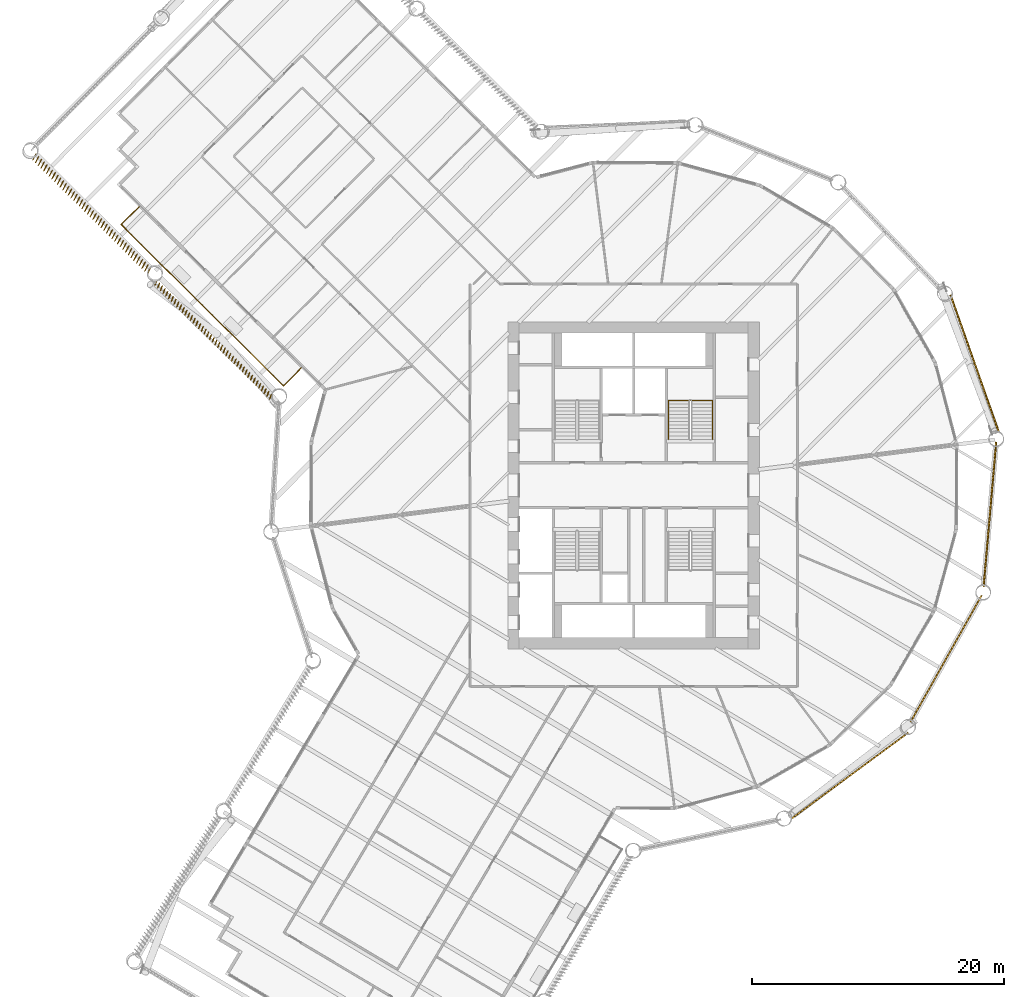
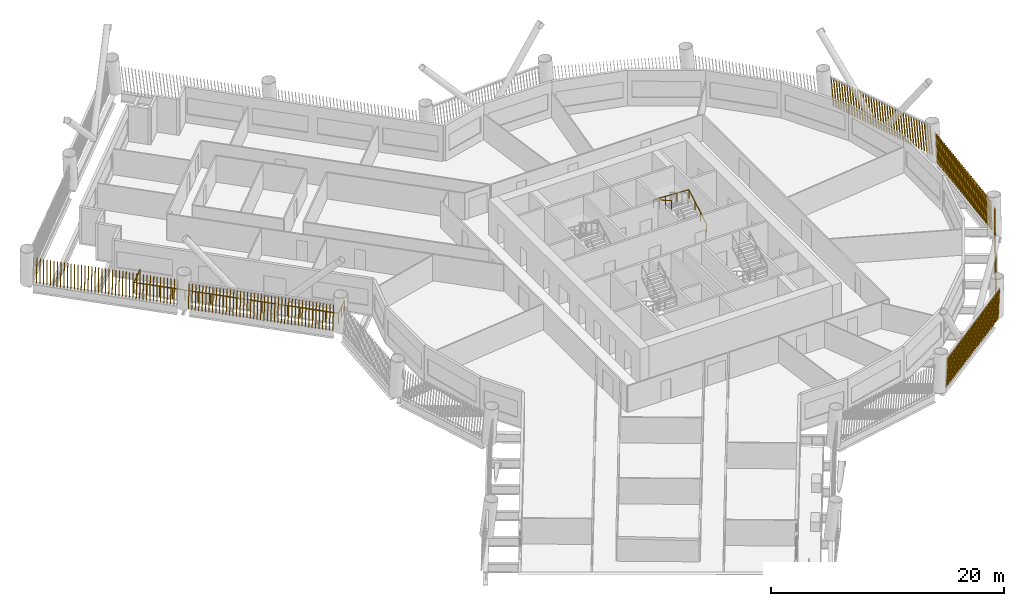
# One storey, part 20 of 22: 6 shading devices, 2 railings.
"""IFC4 building model written with IfcOpenShell, lengths in metres."""

import ifcopenshell
import ifcopenshell.guid

model = None  # the IFC model being written
_history = None  # IfcOwnerHistory: only IFC2X3 demands one
_inside = {}  # id of a spatial element -> (the spatial element, [elements in it])
_under = {}  # id of a project, library or spatial element -> (it, [spatial elements below it])
_declared = {}  # id of a project -> (the project, [libraries it declares])
_typed = {}  # id of a type object -> (the type object, [elements of that type])
_made_of = {}  # id of a material, layer set ... -> (it, [elements and type objects made of it])


def new_model(schema):
    """Start an empty IFC model of exactly this schema.

    Asked for "IFC4X3", IfcOpenShell would pick the latest addendum, in which some entities
    have other attributes; the version numbers below select the first issue.
    IFC2X3 requires an IfcOwnerHistory on every rooted entity: one is made here for all.
    """
    global model, _history
    if schema == "IFC4X3":
        model = ifcopenshell.file(schema_version=(4, 3, 0, 0))
    else:
        model = ifcopenshell.file(schema=schema)
    _inside.clear()
    _under.clear()
    _declared.clear()
    _typed.clear()
    _made_of.clear()
    _history = None
    if model.schema == "IFC2X3":
        org = make("IfcOrganization", Name="unknown")
        user = make(
            "IfcPersonAndOrganization",
            ThePerson=make("IfcPerson", FamilyName="unknown"),
            TheOrganization=org,
        )
        app = make(
            "IfcApplication",
            ApplicationDeveloper=org,
            Version="unknown",
            ApplicationFullName="unknown",
            ApplicationIdentifier="unknown",
        )
        _history = make(
            "IfcOwnerHistory",
            OwningUser=user,
            OwningApplication=app,
            ChangeAction="ADDED",
            CreationDate=0,
        )
    return model


def make(cls, **values):
    """One entity of the class cls with the attributes given. An attribute that is None is left unset."""
    return model.create_entity(
        cls, **{name: value for name, value in values.items() if value is not None}
    )


def rooted(cls, **values):
    """An entity with a GlobalId (a new one), such as an element, a storey or a relation."""
    return make(cls, GlobalId=ifcopenshell.guid.new(), OwnerHistory=_history, **values)


def si_unit(unit_type, name, prefix=None):
    """IfcSIUnit, for example si_unit("LENGTHUNIT", "METRE", prefix="MILLI")."""
    return make("IfcSIUnit", UnitType=unit_type, Prefix=prefix, Name=name)


def assignment(units):
    """IfcUnitAssignment: the units of a project."""
    return None if units is None else make("IfcUnitAssignment", Units=units)


def point(xyz):
    """IfcCartesianPoint."""
    return None if xyz is None else make("IfcCartesianPoint", Coordinates=xyz)


def direction(xyz):
    """IfcDirection."""
    return None if xyz is None else make("IfcDirection", DirectionRatios=xyz)


def frame(location, z_axis=None, x_axis=None):
    """IfcAxis2Placement3D, a coordinate frame: its origin and axes. An axis left out is left unset."""
    return make(
        "IfcAxis2Placement3D",
        Location=point(location),
        Axis=direction(z_axis),
        RefDirection=direction(x_axis),
    )


def frame_2d(location, x_axis=None):
    """IfcAxis2Placement2D, a coordinate frame in the plane: its origin and x axis."""
    return make(
        "IfcAxis2Placement2D", Location=point(location), RefDirection=direction(x_axis)
    )


def origin():
    """The frame at (0, 0, 0) with its axes left unset."""
    return frame((0.0, 0.0, 0.0))


def origin_2d():
    """The frame at (0, 0) in the plane with its x axis left unset."""
    return frame_2d((0.0, 0.0))


def place(relative_to, where):
    """IfcLocalPlacement: puts the frame where relative to a parent placement (None: the world)."""
    return make(
        "IfcLocalPlacement", PlacementRelTo=relative_to, RelativePlacement=where
    )


def context(
    kind, dimensions, precision=None, world=None, true_north=None, identifier=None
):
    """IfcGeometricRepresentationContext, for example the 3D "Model" context."""
    return make(
        "IfcGeometricRepresentationContext",
        ContextIdentifier=identifier,
        ContextType=kind,
        CoordinateSpaceDimension=dimensions,
        Precision=precision,
        WorldCoordinateSystem=world,
        TrueNorth=true_north,
    )


def subcontext(parent, identifier, kind, view, scale=None):
    """IfcGeometricRepresentationSubContext, for example "Body" below "Model"."""
    return make(
        "IfcGeometricRepresentationSubContext",
        ContextIdentifier=identifier,
        ContextType=kind,
        ParentContext=parent,
        TargetScale=scale,
        TargetView=view,
    )


def project(units=None, contexts=None):
    """IfcProject with its units and contexts."""
    return rooted(
        "IfcProject",
        Name="project",
        RepresentationContexts=contexts,
        UnitsInContext=assignment(units),
    )


def spatial(cls, under=None, at=None, **own):
    """A site, building, storey or space (cls), placed at a placement, below another one or the project."""
    s = rooted(cls, ObjectPlacement=at, **own)
    if under is not None:
        _under.setdefault(under.id(), (under, []))[1].append(s)
    return s


def profile(cls, at=None, kind="AREA", **sizes):
    """A parametric profile (cls). Its sizes go by their IFC names, for example OverallWidth=200.0."""
    return make(cls, ProfileType=kind, Position=at, **sizes)


def rectangle(**sizes):
    """IfcRectangleProfileDef."""
    return profile("IfcRectangleProfileDef", **sizes)


def circle(**sizes):
    """IfcCircleProfileDef."""
    return profile("IfcCircleProfileDef", **sizes)


def composite_profile(profiles, kind="AREA"):
    """IfcCompositeProfileDef: several profiles as one."""
    return make("IfcCompositeProfileDef", ProfileType=kind, Profiles=profiles)


def extrude(swept, where, along, depth):
    """IfcExtrudedAreaSolid: the profile swept, set in the frame where, extruded along a direction by depth."""
    return make(
        "IfcExtrudedAreaSolid",
        SweptArea=swept,
        Position=where,
        ExtrudedDirection=direction(along),
        Depth=depth,
    )


def shape(context_of_items, identifier, shape_type, items):
    """IfcShapeRepresentation: the items that make up one representation, for example the "Body"."""
    return make(
        "IfcShapeRepresentation",
        ContextOfItems=context_of_items,
        RepresentationIdentifier=identifier,
        RepresentationType=shape_type,
        Items=items,
    )


def material(Name=None, Category=None):
    """IfcMaterial."""
    return make("IfcMaterial", Name=Name, Category=Category)


def made_of(thing, what):
    """Note that an element or type object is made of a material, layer set ...; save() writes the relation."""
    if what is not None:
        _made_of.setdefault(what.id(), (what, []))[1].append(thing)
    return thing


def type_object(cls, material=None, **own):
    """A type object (cls), such as IfcWallType, which elements share."""
    return made_of(rooted(cls, **own), material)


def element(
    cls,
    number,
    at=None,
    inside=None,
    cuts=None,
    type_object=None,
    material=None,
    context=None,
    identifier="Body",
    shape_type=None,
    held_by="IfcProductDefinitionShape",
    body=None,
    shapes=None,
    **own,
):
    """One element of the class cls, such as IfcWall. Its Tag is "e" and its number.

    at: its placement. inside: the storey or other place that contains it. cuts: it is an
    opening in that element (IfcRelVoidsElement). A single representation is given by context,
    identifier, shape_type and body (its items); several are given by shapes. held_by: the class
    of the entity that holds the representations. save() writes the other relations.
    """
    e = rooted(cls, Tag="e%d" % number, ObjectPlacement=at, **own)
    if body is not None:
        shapes = [shape(context, identifier, shape_type, body)]
    if shapes is not None:
        e.Representation = make(held_by, Representations=shapes)
    if inside is not None:
        _inside.setdefault(inside.id(), (inside, []))[1].append(e)
    if cuts is not None:
        rooted(
            "IfcRelVoidsElement", RelatingBuildingElement=cuts, RelatedOpeningElement=e
        )
    if type_object is not None:
        _typed.setdefault(type_object.id(), (type_object, []))[1].append(e)
    return made_of(e, material)


def aggregate(whole, parts):
    """IfcRelAggregates: a whole, such as a stair, and the parts it consists of."""
    return rooted("IfcRelAggregates", RelatingObject=whole, RelatedObjects=parts)


def save(model, path):
    """Write the relations noted so far, then the file.

    IfcRelAggregates (storeys below a building ...), IfcRelContainedInSpatialStructure (elements
    in a storey), IfcRelDefinesByType, IfcRelAssociatesMaterial and IfcRelDeclares: one each for
    every whole, place, type object, material and project.
    """
    for whole, parts in _under.values():
        aggregate(whole, parts)
    for where, things in _inside.values():
        rooted(
            "IfcRelContainedInSpatialStructure",
            RelatedElements=things,
            RelatingStructure=where,
        )
    for kind, things in _typed.values():
        rooted("IfcRelDefinesByType", RelatedObjects=things, RelatingType=kind)
    for what, things in _made_of.values():
        rooted("IfcRelAssociatesMaterial", RelatedObjects=things, RelatingMaterial=what)
    for by, libraries in _declared.values():
        rooted("IfcRelDeclares", RelatingContext=by, RelatedDefinitions=libraries)
    model.write(path)


model = new_model("IFC4")

# Units and contexts
model_context = context("Model", 3, precision=1e-05, world=origin(), true_north=direction((0.0, 1.0)))
body_context = subcontext(model_context, "Body", "Model", "MODEL_VIEW")
ifc_project = project(units=[si_unit("LENGTHUNIT", "METRE"), si_unit("AREAUNIT", "SQUARE_METRE"), si_unit("VOLUMEUNIT", "CUBIC_METRE"), si_unit("PLANEANGLEUNIT", "RADIAN"), si_unit("MASSUNIT", "GRAM", prefix="KILO")], contexts=[model_context])

# Site, building, storey
site_placement = place(None, origin())
site = spatial("IfcSite", under=ifc_project, at=site_placement, CompositionType="ELEMENT")
building_placement = place(site_placement, origin())
building = spatial("IfcBuilding", under=site, at=building_placement, Name="Tarsis Ring Headquarters", CompositionType="ELEMENT")
storey_placement = place(building_placement, frame((0.0, 0.0, 79.0)))
storey = spatial("IfcBuildingStorey", under=building, at=storey_placement, Name="L17", CompositionType="ELEMENT", Elevation=79.0)

# Railings
ifc_material_1 = material(Name="Stainless steel guard", Category="steel")
railing_type_1 = type_object("IfcRailingType", Name="Balcony balustrade with mesh infill 1100", PredefinedType="BALUSTRADE", material=ifc_material_1)
railing_1_placement = place(storey_placement, frame((-39.322021484375, 22.13671875, 0.0)))
element("IfcRailing", 1, at=railing_1_placement, inside=storey, type_object=railing_type_1, Name="Balcony balustrade L17-01", PredefinedType="BALUSTRADE", context=body_context, shape_type="SweptSolid", body=[
    extrude(circle(Radius=0.030029296875, at=origin_2d()), frame((0.0, 0.0, 1.070068359375), z_axis=(-0.704599875956, -0.70960483003, 0.0), x_axis=(0.70960483003, -0.704599875956, 0.0)), (0.0, 0.0, 1.0), 2.0),
    extrude(circle(Radius=0.030029296875, at=origin_2d()), frame((-1.4091796875, -1.419189453125, 1.070068359375), z_axis=(0.709574517389, -0.704630402603, 0.0), x_axis=(0.704630402603, 0.709574517389, 0.0)), (0.0, 0.0, 1.0), 18.171875),
    extrude(circle(Radius=0.030029296875, at=origin_2d()), frame((11.485107421875, -14.2236328125, 1.070068359375), z_axis=(0.704660913133, 0.709544218145, 0.0), x_axis=(-0.709544218145, 0.704660913133, 0.0)), (0.0, 0.0, 1.0), 1.999755859375),
    extrude(circle(Radius=0.02490234375, at=origin_2d()), origin(), (0.0, 0.0, 1.0), 1.0400390625),
    extrude(circle(Radius=0.02490234375, at=origin_2d()), frame((-0.70458984375, -0.70947265625, 0.0)), (0.0, 0.0, 1.0), 1.0400390625),
    extrude(circle(Radius=0.02490234375, at=origin_2d()), frame((-1.4091796875, -1.419189453125, 0.0)), (0.0, 0.0, 1.0), 1.0400390625),
    extrude(circle(Radius=0.02490234375, at=origin_2d()), frame((-0.603271484375, -2.219482421875, 0.0)), (0.0, 0.0, 1.0), 1.0400390625),
    extrude(circle(Radius=0.02490234375, at=origin_2d()), frame((0.20263671875, -3.019775390625, 0.0)), (0.0, 0.0, 1.0), 1.0400390625),
    extrude(circle(Radius=0.02490234375, at=origin_2d()), frame((1.008544921875, -3.820068359375, 0.0)), (0.0, 0.0, 1.0), 1.0400390625),
    extrude(circle(Radius=0.02490234375, at=origin_2d()), frame((1.814453125, -4.620361328125, 0.0)), (0.0, 0.0, 1.0), 1.0400390625),
    extrude(circle(Radius=0.02490234375, at=origin_2d()), frame((2.620361328125, -5.420654296875, 0.0)), (0.0, 0.0, 1.0), 1.0400390625),
    extrude(circle(Radius=0.02490234375, at=origin_2d()), frame((3.42626953125, -6.220947265625, 0.0)), (0.0, 0.0, 1.0), 1.0400390625),
    extrude(circle(Radius=0.02490234375, at=origin_2d()), frame((4.232177734375, -7.021240234375, 0.0)), (0.0, 0.0, 1.0), 1.0400390625),
    extrude(circle(Radius=0.02490234375, at=origin_2d()), frame((5.0380859375, -7.8212890625, 0.0)), (0.0, 0.0, 1.0), 1.0400390625),
    extrude(circle(Radius=0.02490234375, at=origin_2d()), frame((5.84375, -8.62158203125, 0.0)), (0.0, 0.0, 1.0), 1.0400390625),
    extrude(circle(Radius=0.02490234375, at=origin_2d()), frame((6.649658203125, -9.421875, 0.0)), (0.0, 0.0, 1.0), 1.0400390625),
    extrude(circle(Radius=0.02490234375, at=origin_2d()), frame((7.45556640625, -10.22216796875, 0.0)), (0.0, 0.0, 1.0), 1.0400390625),
    extrude(circle(Radius=0.02490234375, at=origin_2d()), frame((8.261474609375, -11.0224609375, 0.0)), (0.0, 0.0, 1.0), 1.0400390625),
    extrude(circle(Radius=0.02490234375, at=origin_2d()), frame((9.0673828125, -11.82275390625, 0.0)), (0.0, 0.0, 1.0), 1.0400390625),
    extrude(circle(Radius=0.02490234375, at=origin_2d()), frame((9.873291015625, -12.623046875, 0.0)), (0.0, 0.0, 1.0), 1.0400390625),
    extrude(circle(Radius=0.02490234375, at=origin_2d()), frame((10.67919921875, -13.42333984375, 0.0)), (0.0, 0.0, 1.0), 1.0400390625),
    extrude(circle(Radius=0.02490234375, at=origin_2d()), frame((11.485107421875, -14.2236328125, 0.0)), (0.0, 0.0, 1.0), 1.0400390625),
    extrude(circle(Radius=0.02490234375, at=origin_2d()), frame((12.189697265625, -13.51416015625, 0.0)), (0.0, 0.0, 1.0), 1.0400390625),
    extrude(circle(Radius=0.02490234375, at=origin_2d()), frame((12.894287109375, -12.8046875, 0.0)), (0.0, 0.0, 1.0), 1.0400390625),
])
ifc_material_2 = material(Name="Steel S355", Category="steel")
railing_type_2 = type_object("IfcRailingType", Name="Core stair handrail 900", PredefinedType="HANDRAIL", material=ifc_material_2)
railing_2_placement = place(storey_placement, frame((6.25, 3.659912109375, 0.16259765625)))
element("IfcRailing", 2, at=railing_2_placement, inside=storey, type_object=railing_type_2, Name="L17 ST2 stair handrail 1", PredefinedType="HANDRAIL", context=body_context, shape_type="SweptSolid", body=[
    extrude(circle(Radius=0.02392578125, at=origin_2d()), frame((0.0, 0.0, 0.8759765625), z_axis=(0.0, 0.864920483161, 0.501908913857), x_axis=(-1.0, 0.0, 0.0)), (0.0, 0.0, 1.0), 3.56103515625),
    extrude(circle(Radius=0.02392578125, at=origin_2d()), frame((0.0, 3.080078125, 2.6630859375), z_axis=(-0.998922641604, 0.0, 0.046406422943), x_axis=(0.0, -1.0, 0.0)), (0.0, 0.0, 1.0), 3.503662109375),
    extrude(circle(Radius=0.02392578125, at=origin_2d()), frame((-3.5, 3.080078125, 2.82568359375), z_axis=(0.0, -0.864920483161, 0.501908913857), x_axis=(1.0, 0.0, 0.0)), (0.0, 0.0, 1.0), 3.56103515625),
    extrude(circle(Radius=0.02099609375, at=origin_2d()), origin(), (0.0, 0.0, 1.0), 0.851806640625),
    extrude(circle(Radius=0.02099609375, at=origin_2d()), frame((0.0, 1.026611328125, 0.595703125)), (0.0, 0.0, 1.0), 0.851806640625),
    extrude(circle(Radius=0.02099609375, at=origin_2d()), frame((0.0, 2.053466796875, 1.191650390625)), (0.0, 0.0, 1.0), 0.851806640625),
    extrude(circle(Radius=0.02099609375, at=origin_2d()), frame((0.0, 3.080078125, 1.787353515625)), (0.0, 0.0, 1.0), 0.851806640625),
    extrude(circle(Radius=0.02099609375, at=origin_2d()), frame((-1.166748046875, 3.080078125, 1.841552734375)), (0.0, 0.0, 1.0), 0.851806640625),
    extrude(circle(Radius=0.02099609375, at=origin_2d()), frame((-2.333251953125, 3.080078125, 1.895751953125)), (0.0, 0.0, 1.0), 0.851806640625),
    extrude(circle(Radius=0.02099609375, at=origin_2d()), frame((-3.5, 3.080078125, 1.949951171875)), (0.0, 0.0, 1.0), 0.851806640625),
    extrude(circle(Radius=0.02099609375, at=origin_2d()), frame((-3.5, 2.053466796875, 2.545654296875)), (0.0, 0.0, 1.0), 0.851806640625),
    extrude(circle(Radius=0.02099609375, at=origin_2d()), frame((-3.5, 1.026611328125, 3.1416015625)), (0.0, 0.0, 1.0), 0.851806640625),
    extrude(circle(Radius=0.02099609375, at=origin_2d()), frame((-3.5, 0.0, 3.7373046875)), (0.0, 0.0, 1.0), 0.851806640625),
])

# Shading devices
ifc_material_3 = material(Name="Terracotta baguette", Category="masonry")
shading_device_type = type_object("IfcShadingDeviceType", Name="Terracotta baguette screen", PredefinedType="USERDEFINED", material=ifc_material_3)
shading_device_1_placement = place(storey_placement, frame((12.52001953125, -26.507080078125, 0.0), z_axis=(0.0, 0.0, 1.0), x_axis=(0.805469343462, 0.592620727075, 0.0)))
element("IfcShadingDevice", 3, at=shading_device_1_placement, inside=storey, type_object=shading_device_type, Name="Baguette screen L17-08", ObjectType="Terracotta baguette screen", PredefinedType="USERDEFINED", context=body_context, shape_type="SweptSolid", body=[
    extrude(composite_profile([rectangle(XDim=0.06005859375, YDim=0.1201171875, at=frame_2d((0.030029296875, 0.0))), rectangle(XDim=0.06005859375, YDim=0.1201171875, at=frame_2d((0.33251953125, 0.0))), rectangle(XDim=0.06005859375, YDim=0.1201171875, at=frame_2d((0.634765625, 0.0))), rectangle(XDim=0.06005859375, YDim=0.1201171875, at=frame_2d((0.937255859375, 0.0))), rectangle(XDim=0.06005859375, YDim=0.1201171875, at=frame_2d((1.239501953125, 0.0))), rectangle(XDim=0.06005859375, YDim=0.1201171875, at=frame_2d((1.5419921875, 0.0))), rectangle(XDim=0.06005859375, YDim=0.1201171875, at=frame_2d((1.844482421875, 0.0))), rectangle(XDim=0.06005859375, YDim=0.1201171875, at=frame_2d((2.146728515625, 0.0))), rectangle(XDim=0.06005859375, YDim=0.1201171875, at=frame_2d((2.44921875, 0.0))), rectangle(XDim=0.06005859375, YDim=0.1201171875, at=frame_2d((2.751708984375, 0.0))), rectangle(XDim=0.06005859375, YDim=0.1201171875, at=frame_2d((3.053955078125, 0.0))), rectangle(XDim=0.06005859375, YDim=0.1201171875, at=frame_2d((3.3564453125, 0.0))), rectangle(XDim=0.06005859375, YDim=0.1201171875, at=frame_2d((3.65869140625, 0.0))), rectangle(XDim=0.06005859375, YDim=0.1201171875, at=frame_2d((3.961181640625, 0.0))), rectangle(XDim=0.06005859375, YDim=0.1201171875, at=frame_2d((4.263671875, 0.0))), rectangle(XDim=0.06005859375, YDim=0.1201171875, at=frame_2d((4.56591796875, 0.0))), rectangle(XDim=0.06005859375, YDim=0.1201171875, at=frame_2d((4.868408203125, 0.0))), rectangle(XDim=0.06005859375, YDim=0.1201171875, at=frame_2d((5.1708984375, 0.0))), rectangle(XDim=0.06005859375, YDim=0.1201171875, at=frame_2d((5.47314453125, 0.0))), rectangle(XDim=0.06005859375, YDim=0.1201171875, at=frame_2d((5.775634765625, 0.0))), rectangle(XDim=0.06005859375, YDim=0.1201171875, at=frame_2d((6.077880859375, 0.0))), rectangle(XDim=0.06005859375, YDim=0.1201171875, at=frame_2d((6.38037109375, 0.0))), rectangle(XDim=0.06005859375, YDim=0.1201171875, at=frame_2d((6.682861328125, 0.0))), rectangle(XDim=0.06005859375, YDim=0.1201171875, at=frame_2d((6.985107421875, 0.0))), rectangle(XDim=0.06005859375, YDim=0.1201171875, at=frame_2d((7.28759765625, 0.0))), rectangle(XDim=0.06005859375, YDim=0.1201171875, at=frame_2d((7.590087890625, 0.0))), rectangle(XDim=0.06005859375, YDim=0.1201171875, at=frame_2d((7.892333984375, 0.0))), rectangle(XDim=0.06005859375, YDim=0.1201171875, at=frame_2d((8.19482421875, 0.0))), rectangle(XDim=0.06005859375, YDim=0.1201171875, at=frame_2d((8.4970703125, 0.0))), rectangle(XDim=0.06005859375, YDim=0.1201171875, at=frame_2d((8.799560546875, 0.0))), rectangle(XDim=0.06005859375, YDim=0.1201171875, at=frame_2d((9.10205078125, 0.0))), rectangle(XDim=0.06005859375, YDim=0.1201171875, at=frame_2d((9.404296875, 0.0))), rectangle(XDim=0.06005859375, YDim=0.1201171875, at=frame_2d((9.706787109375, 0.0))), rectangle(XDim=0.06005859375, YDim=0.1201171875, at=frame_2d((10.00927734375, 0.0))), rectangle(XDim=0.06005859375, YDim=0.1201171875, at=frame_2d((10.3115234375, 0.0))), rectangle(XDim=0.06005859375, YDim=0.1201171875, at=frame_2d((10.614013671875, 0.0))), rectangle(XDim=0.06005859375, YDim=0.1201171875, at=frame_2d((10.916259765625, 0.0))), rectangle(XDim=0.06005859375, YDim=0.1201171875, at=frame_2d((11.21875, 0.0)))]), origin(), (0.101509325663, 0.000531992637, 0.994834445417), 2.968017578125),
])
shading_device_2_placement = place(storey_placement, frame((22.005859375, -18.806396484375, 0.0), z_axis=(0.0, 0.0, 1.0), x_axis=(0.489593054802, 0.871947911015, 0.0)))
element("IfcShadingDevice", 4, at=shading_device_2_placement, inside=storey, type_object=shading_device_type, Name="Baguette screen L17-09", ObjectType="Terracotta baguette screen", PredefinedType="USERDEFINED", context=body_context, shape_type="SweptSolid", body=[
    extrude(composite_profile([rectangle(XDim=0.06005859375, YDim=0.1201171875, at=frame_2d((0.030029296875, 0.0))), rectangle(XDim=0.06005859375, YDim=0.1201171875, at=frame_2d((0.33251953125, 0.0))), rectangle(XDim=0.06005859375, YDim=0.1201171875, at=frame_2d((0.634765625, 0.0))), rectangle(XDim=0.06005859375, YDim=0.1201171875, at=frame_2d((0.937255859375, 0.0))), rectangle(XDim=0.06005859375, YDim=0.1201171875, at=frame_2d((1.239501953125, 0.0))), rectangle(XDim=0.06005859375, YDim=0.1201171875, at=frame_2d((1.5419921875, 0.0))), rectangle(XDim=0.06005859375, YDim=0.1201171875, at=frame_2d((1.844482421875, 0.0))), rectangle(XDim=0.06005859375, YDim=0.1201171875, at=frame_2d((2.146728515625, 0.0))), rectangle(XDim=0.06005859375, YDim=0.1201171875, at=frame_2d((2.44921875, 0.0))), rectangle(XDim=0.06005859375, YDim=0.1201171875, at=frame_2d((2.751708984375, 0.0))), rectangle(XDim=0.06005859375, YDim=0.1201171875, at=frame_2d((3.053955078125, 0.0))), rectangle(XDim=0.06005859375, YDim=0.1201171875, at=frame_2d((3.3564453125, 0.0))), rectangle(XDim=0.06005859375, YDim=0.1201171875, at=frame_2d((3.65869140625, 0.0))), rectangle(XDim=0.06005859375, YDim=0.1201171875, at=frame_2d((3.961181640625, 0.0))), rectangle(XDim=0.06005859375, YDim=0.1201171875, at=frame_2d((4.263671875, 0.0))), rectangle(XDim=0.06005859375, YDim=0.1201171875, at=frame_2d((4.56591796875, 0.0))), rectangle(XDim=0.06005859375, YDim=0.1201171875, at=frame_2d((4.868408203125, 0.0))), rectangle(XDim=0.06005859375, YDim=0.1201171875, at=frame_2d((5.1708984375, 0.0))), rectangle(XDim=0.06005859375, YDim=0.1201171875, at=frame_2d((5.47314453125, 0.0))), rectangle(XDim=0.06005859375, YDim=0.1201171875, at=frame_2d((5.775634765625, 0.0))), rectangle(XDim=0.06005859375, YDim=0.1201171875, at=frame_2d((6.077880859375, 0.0))), rectangle(XDim=0.06005859375, YDim=0.1201171875, at=frame_2d((6.38037109375, 0.0))), rectangle(XDim=0.06005859375, YDim=0.1201171875, at=frame_2d((6.682861328125, 0.0))), rectangle(XDim=0.06005859375, YDim=0.1201171875, at=frame_2d((6.985107421875, 0.0))), rectangle(XDim=0.06005859375, YDim=0.1201171875, at=frame_2d((7.28759765625, 0.0))), rectangle(XDim=0.06005859375, YDim=0.1201171875, at=frame_2d((7.590087890625, 0.0))), rectangle(XDim=0.06005859375, YDim=0.1201171875, at=frame_2d((7.892333984375, 0.0))), rectangle(XDim=0.06005859375, YDim=0.1201171875, at=frame_2d((8.19482421875, 0.0))), rectangle(XDim=0.06005859375, YDim=0.1201171875, at=frame_2d((8.4970703125, 0.0))), rectangle(XDim=0.06005859375, YDim=0.1201171875, at=frame_2d((8.799560546875, 0.0))), rectangle(XDim=0.06005859375, YDim=0.1201171875, at=frame_2d((9.10205078125, 0.0))), rectangle(XDim=0.06005859375, YDim=0.1201171875, at=frame_2d((9.404296875, 0.0))), rectangle(XDim=0.06005859375, YDim=0.1201171875, at=frame_2d((9.706787109375, 0.0))), rectangle(XDim=0.06005859375, YDim=0.1201171875, at=frame_2d((10.00927734375, 0.0))), rectangle(XDim=0.06005859375, YDim=0.1201171875, at=frame_2d((10.3115234375, 0.0))), rectangle(XDim=0.06005859375, YDim=0.1201171875, at=frame_2d((10.614013671875, 0.0))), rectangle(XDim=0.06005859375, YDim=0.1201171875, at=frame_2d((10.916259765625, 0.0))), rectangle(XDim=0.06005859375, YDim=0.1201171875, at=frame_2d((11.21875, 0.0)))]), origin(), (0.100200109882, 0.000525124512, 0.994967166405), 2.967529296875),
])
shading_device_3_placement = place(storey_placement, frame((27.80126953125, -8.06396484375, 0.0), z_axis=(0.0, 0.0, 1.0), x_axis=(0.086663049376, 0.996245252306, 0.0)))
element("IfcShadingDevice", 5, at=shading_device_3_placement, inside=storey, type_object=shading_device_type, Name="Baguette screen L17-10", ObjectType="Terracotta baguette screen", PredefinedType="USERDEFINED", context=body_context, shape_type="SweptSolid", body=[
    extrude(composite_profile([rectangle(XDim=0.06005859375, YDim=0.1201171875, at=frame_2d((0.030029296875, 0.0))), rectangle(XDim=0.06005859375, YDim=0.1201171875, at=frame_2d((0.33251953125, 0.0))), rectangle(XDim=0.06005859375, YDim=0.1201171875, at=frame_2d((0.634765625, 0.0))), rectangle(XDim=0.06005859375, YDim=0.1201171875, at=frame_2d((0.937255859375, 0.0))), rectangle(XDim=0.06005859375, YDim=0.1201171875, at=frame_2d((1.239501953125, 0.0))), rectangle(XDim=0.06005859375, YDim=0.1201171875, at=frame_2d((1.5419921875, 0.0))), rectangle(XDim=0.06005859375, YDim=0.1201171875, at=frame_2d((1.844482421875, 0.0))), rectangle(XDim=0.06005859375, YDim=0.1201171875, at=frame_2d((2.146728515625, 0.0))), rectangle(XDim=0.06005859375, YDim=0.1201171875, at=frame_2d((2.44921875, 0.0))), rectangle(XDim=0.06005859375, YDim=0.1201171875, at=frame_2d((2.751708984375, 0.0))), rectangle(XDim=0.06005859375, YDim=0.1201171875, at=frame_2d((3.053955078125, 0.0))), rectangle(XDim=0.06005859375, YDim=0.1201171875, at=frame_2d((3.3564453125, 0.0))), rectangle(XDim=0.06005859375, YDim=0.1201171875, at=frame_2d((3.65869140625, 0.0))), rectangle(XDim=0.06005859375, YDim=0.1201171875, at=frame_2d((3.961181640625, 0.0))), rectangle(XDim=0.06005859375, YDim=0.1201171875, at=frame_2d((4.263671875, 0.0))), rectangle(XDim=0.06005859375, YDim=0.1201171875, at=frame_2d((4.56591796875, 0.0))), rectangle(XDim=0.06005859375, YDim=0.1201171875, at=frame_2d((4.868408203125, 0.0))), rectangle(XDim=0.06005859375, YDim=0.1201171875, at=frame_2d((5.1708984375, 0.0))), rectangle(XDim=0.06005859375, YDim=0.1201171875, at=frame_2d((5.47314453125, 0.0))), rectangle(XDim=0.06005859375, YDim=0.1201171875, at=frame_2d((5.775634765625, 0.0))), rectangle(XDim=0.06005859375, YDim=0.1201171875, at=frame_2d((6.077880859375, 0.0))), rectangle(XDim=0.06005859375, YDim=0.1201171875, at=frame_2d((6.38037109375, 0.0))), rectangle(XDim=0.06005859375, YDim=0.1201171875, at=frame_2d((6.682861328125, 0.0))), rectangle(XDim=0.06005859375, YDim=0.1201171875, at=frame_2d((6.985107421875, 0.0))), rectangle(XDim=0.06005859375, YDim=0.1201171875, at=frame_2d((7.28759765625, 0.0))), rectangle(XDim=0.06005859375, YDim=0.1201171875, at=frame_2d((7.590087890625, 0.0))), rectangle(XDim=0.06005859375, YDim=0.1201171875, at=frame_2d((7.892333984375, 0.0))), rectangle(XDim=0.06005859375, YDim=0.1201171875, at=frame_2d((8.19482421875, 0.0))), rectangle(XDim=0.06005859375, YDim=0.1201171875, at=frame_2d((8.4970703125, 0.0))), rectangle(XDim=0.06005859375, YDim=0.1201171875, at=frame_2d((8.799560546875, 0.0))), rectangle(XDim=0.06005859375, YDim=0.1201171875, at=frame_2d((9.10205078125, 0.0))), rectangle(XDim=0.06005859375, YDim=0.1201171875, at=frame_2d((9.404296875, 0.0))), rectangle(XDim=0.06005859375, YDim=0.1201171875, at=frame_2d((9.706787109375, 0.0))), rectangle(XDim=0.06005859375, YDim=0.1201171875, at=frame_2d((10.00927734375, 0.0))), rectangle(XDim=0.06005859375, YDim=0.1201171875, at=frame_2d((10.3115234375, 0.0))), rectangle(XDim=0.06005859375, YDim=0.1201171875, at=frame_2d((10.614013671875, 0.0))), rectangle(XDim=0.06005859375, YDim=0.1201171875, at=frame_2d((10.916259765625, 0.0))), rectangle(XDim=0.06005859375, YDim=0.1201171875, at=frame_2d((11.21875, 0.0)))]), origin(), (0.100201377389, 0.000525401251, 0.994967038611), 2.967529296875),
])
shading_device_4_placement = place(storey_placement, frame((29.00732421875, 4.23681640625, 0.0), z_axis=(0.0, 0.0, 1.0), x_axis=(-0.331676614216, 0.94339663592, 0.0)))
element("IfcShadingDevice", 6, at=shading_device_4_placement, inside=storey, type_object=shading_device_type, Name="Baguette screen L17-11", ObjectType="Terracotta baguette screen", PredefinedType="USERDEFINED", context=body_context, shape_type="SweptSolid", body=[
    extrude(composite_profile([rectangle(XDim=0.06005859375, YDim=0.1201171875, at=frame_2d((0.030029296875, 0.0))), rectangle(XDim=0.06005859375, YDim=0.1201171875, at=frame_2d((0.33251953125, 0.0))), rectangle(XDim=0.06005859375, YDim=0.1201171875, at=frame_2d((0.634765625, 0.0))), rectangle(XDim=0.06005859375, YDim=0.1201171875, at=frame_2d((0.937255859375, 0.0))), rectangle(XDim=0.06005859375, YDim=0.1201171875, at=frame_2d((1.239501953125, 0.0))), rectangle(XDim=0.06005859375, YDim=0.1201171875, at=frame_2d((1.5419921875, 0.0))), rectangle(XDim=0.06005859375, YDim=0.1201171875, at=frame_2d((1.844482421875, 0.0))), rectangle(XDim=0.06005859375, YDim=0.1201171875, at=frame_2d((2.146728515625, 0.0))), rectangle(XDim=0.06005859375, YDim=0.1201171875, at=frame_2d((2.44921875, 0.0))), rectangle(XDim=0.06005859375, YDim=0.1201171875, at=frame_2d((2.751708984375, 0.0))), rectangle(XDim=0.06005859375, YDim=0.1201171875, at=frame_2d((3.053955078125, 0.0))), rectangle(XDim=0.06005859375, YDim=0.1201171875, at=frame_2d((3.3564453125, 0.0))), rectangle(XDim=0.06005859375, YDim=0.1201171875, at=frame_2d((3.65869140625, 0.0))), rectangle(XDim=0.06005859375, YDim=0.1201171875, at=frame_2d((3.961181640625, 0.0))), rectangle(XDim=0.06005859375, YDim=0.1201171875, at=frame_2d((4.263671875, 0.0))), rectangle(XDim=0.06005859375, YDim=0.1201171875, at=frame_2d((4.56591796875, 0.0))), rectangle(XDim=0.06005859375, YDim=0.1201171875, at=frame_2d((4.868408203125, 0.0))), rectangle(XDim=0.06005859375, YDim=0.1201171875, at=frame_2d((5.1708984375, 0.0))), rectangle(XDim=0.06005859375, YDim=0.1201171875, at=frame_2d((5.47314453125, 0.0))), rectangle(XDim=0.06005859375, YDim=0.1201171875, at=frame_2d((5.775634765625, 0.0))), rectangle(XDim=0.06005859375, YDim=0.1201171875, at=frame_2d((6.077880859375, 0.0))), rectangle(XDim=0.06005859375, YDim=0.1201171875, at=frame_2d((6.38037109375, 0.0))), rectangle(XDim=0.06005859375, YDim=0.1201171875, at=frame_2d((6.682861328125, 0.0))), rectangle(XDim=0.06005859375, YDim=0.1201171875, at=frame_2d((6.985107421875, 0.0))), rectangle(XDim=0.06005859375, YDim=0.1201171875, at=frame_2d((7.28759765625, 0.0))), rectangle(XDim=0.06005859375, YDim=0.1201171875, at=frame_2d((7.590087890625, 0.0))), rectangle(XDim=0.06005859375, YDim=0.1201171875, at=frame_2d((7.892333984375, 0.0))), rectangle(XDim=0.06005859375, YDim=0.1201171875, at=frame_2d((8.19482421875, 0.0))), rectangle(XDim=0.06005859375, YDim=0.1201171875, at=frame_2d((8.4970703125, 0.0))), rectangle(XDim=0.06005859375, YDim=0.1201171875, at=frame_2d((8.799560546875, 0.0))), rectangle(XDim=0.06005859375, YDim=0.1201171875, at=frame_2d((9.10205078125, 0.0))), rectangle(XDim=0.06005859375, YDim=0.1201171875, at=frame_2d((9.404296875, 0.0))), rectangle(XDim=0.06005859375, YDim=0.1201171875, at=frame_2d((9.706787109375, 0.0))), rectangle(XDim=0.06005859375, YDim=0.1201171875, at=frame_2d((10.00927734375, 0.0))), rectangle(XDim=0.06005859375, YDim=0.1201171875, at=frame_2d((10.3115234375, 0.0))), rectangle(XDim=0.06005859375, YDim=0.1201171875, at=frame_2d((10.614013671875, 0.0))), rectangle(XDim=0.06005859375, YDim=0.1201171875, at=frame_2d((10.916259765625, 0.0))), rectangle(XDim=0.06005859375, YDim=0.1201171875, at=frame_2d((11.21875, 0.0)))]), origin(), (0.101510701427, 0.000532489808, 0.994834304772), 2.968017578125),
])
shading_device_5_placement = place(storey_placement, frame((-47.5390625, 26.350830078125, 0.0), z_axis=(0.0, 0.0, 1.0), x_axis=(0.70956327581, -0.704643505904, 0.0)))
element("IfcShadingDevice", 7, at=shading_device_5_placement, inside=storey, type_object=shading_device_type, Name="Baguette screen L17-19", ObjectType="Terracotta baguette screen", PredefinedType="USERDEFINED", context=body_context, shape_type="SweptSolid", body=[
    extrude(composite_profile([rectangle(XDim=0.06005859375, YDim=0.1201171875, at=frame_2d((0.030029296875, 0.0))), rectangle(XDim=0.06005859375, YDim=0.1201171875, at=frame_2d((0.335693359375, 0.0))), rectangle(XDim=0.06005859375, YDim=0.1201171875, at=frame_2d((0.6416015625, 0.0))), rectangle(XDim=0.06005859375, YDim=0.1201171875, at=frame_2d((0.947265625, 0.0))), rectangle(XDim=0.06005859375, YDim=0.1201171875, at=frame_2d((1.253173828125, 0.0))), rectangle(XDim=0.06005859375, YDim=0.1201171875, at=frame_2d((1.558837890625, 0.0))), rectangle(XDim=0.06005859375, YDim=0.1201171875, at=frame_2d((1.864501953125, 0.0))), rectangle(XDim=0.06005859375, YDim=0.1201171875, at=frame_2d((2.17041015625, 0.0))), rectangle(XDim=0.06005859375, YDim=0.1201171875, at=frame_2d((2.47607421875, 0.0))), rectangle(XDim=0.06005859375, YDim=0.1201171875, at=frame_2d((2.781982421875, 0.0))), rectangle(XDim=0.06005859375, YDim=0.1201171875, at=frame_2d((3.087646484375, 0.0))), rectangle(XDim=0.06005859375, YDim=0.1201171875, at=frame_2d((3.393310546875, 0.0))), rectangle(XDim=0.06005859375, YDim=0.1201171875, at=frame_2d((3.69921875, 0.0))), rectangle(XDim=0.06005859375, YDim=0.1201171875, at=frame_2d((4.0048828125, 0.0))), rectangle(XDim=0.06005859375, YDim=0.1201171875, at=frame_2d((4.310791015625, 0.0))), rectangle(XDim=0.06005859375, YDim=0.1201171875, at=frame_2d((4.616455078125, 0.0))), rectangle(XDim=0.06005859375, YDim=0.1201171875, at=frame_2d((4.922119140625, 0.0))), rectangle(XDim=0.06005859375, YDim=0.1201171875, at=frame_2d((5.22802734375, 0.0))), rectangle(XDim=0.06005859375, YDim=0.1201171875, at=frame_2d((5.53369140625, 0.0))), rectangle(XDim=0.06005859375, YDim=0.1201171875, at=frame_2d((5.839599609375, 0.0))), rectangle(XDim=0.06005859375, YDim=0.1201171875, at=frame_2d((6.145263671875, 0.0))), rectangle(XDim=0.06005859375, YDim=0.1201171875, at=frame_2d((6.451171875, 0.0))), rectangle(XDim=0.06005859375, YDim=0.1201171875, at=frame_2d((6.7568359375, 0.0))), rectangle(XDim=0.06005859375, YDim=0.1201171875, at=frame_2d((7.0625, 0.0))), rectangle(XDim=0.06005859375, YDim=0.1201171875, at=frame_2d((7.368408203125, 0.0))), rectangle(XDim=0.06005859375, YDim=0.1201171875, at=frame_2d((7.674072265625, 0.0))), rectangle(XDim=0.06005859375, YDim=0.1201171875, at=frame_2d((7.97998046875, 0.0))), rectangle(XDim=0.06005859375, YDim=0.1201171875, at=frame_2d((8.28564453125, 0.0))), rectangle(XDim=0.06005859375, YDim=0.1201171875, at=frame_2d((8.59130859375, 0.0))), rectangle(XDim=0.06005859375, YDim=0.1201171875, at=frame_2d((8.897216796875, 0.0))), rectangle(XDim=0.06005859375, YDim=0.1201171875, at=frame_2d((9.202880859375, 0.0))), rectangle(XDim=0.06005859375, YDim=0.1201171875, at=frame_2d((9.5087890625, 0.0))), rectangle(XDim=0.06005859375, YDim=0.1201171875, at=frame_2d((9.814453125, 0.0))), rectangle(XDim=0.06005859375, YDim=0.1201171875, at=frame_2d((10.1201171875, 0.0))), rectangle(XDim=0.06005859375, YDim=0.1201171875, at=frame_2d((10.426025390625, 0.0))), rectangle(XDim=0.06005859375, YDim=0.1201171875, at=frame_2d((10.731689453125, 0.0))), rectangle(XDim=0.06005859375, YDim=0.1201171875, at=frame_2d((11.03759765625, 0.0))), rectangle(XDim=0.06005859375, YDim=0.1201171875, at=frame_2d((11.34326171875, 0.0))), rectangle(XDim=0.06005859375, YDim=0.1201171875, at=frame_2d((11.64892578125, 0.0))), rectangle(XDim=0.06005859375, YDim=0.1201171875, at=frame_2d((11.954833984375, 0.0))), rectangle(XDim=0.06005859375, YDim=0.1201171875, at=frame_2d((12.260498046875, 0.0))), rectangle(XDim=0.06005859375, YDim=0.1201171875, at=frame_2d((12.56640625, 0.0))), rectangle(XDim=0.06005859375, YDim=0.1201171875, at=frame_2d((12.8720703125, 0.0)))]), origin(), (0.052580535179, -0.160012795102, 0.985713544963), 2.995361328125),
])
shading_device_6_placement = place(storey_placement, frame((-37.938720703125, 16.28857421875, 0.0), z_axis=(0.0, 0.0, 1.0), x_axis=(0.709576702556, -0.704637917006, 0.0)))
element("IfcShadingDevice", 8, at=shading_device_6_placement, inside=storey, type_object=shading_device_type, Name="Baguette screen L17-20", ObjectType="Terracotta baguette screen", PredefinedType="USERDEFINED", context=body_context, shape_type="SweptSolid", body=[
    extrude(composite_profile([rectangle(XDim=0.06005859375, YDim=0.1201171875, at=frame_2d((0.030029296875, 0.0))), rectangle(XDim=0.06005859375, YDim=0.1201171875, at=frame_2d((0.335693359375, 0.0))), rectangle(XDim=0.06005859375, YDim=0.1201171875, at=frame_2d((0.6416015625, 0.0))), rectangle(XDim=0.06005859375, YDim=0.1201171875, at=frame_2d((0.947265625, 0.0))), rectangle(XDim=0.06005859375, YDim=0.1201171875, at=frame_2d((1.253173828125, 0.0))), rectangle(XDim=0.06005859375, YDim=0.1201171875, at=frame_2d((1.558837890625, 0.0))), rectangle(XDim=0.06005859375, YDim=0.1201171875, at=frame_2d((1.864501953125, 0.0))), rectangle(XDim=0.06005859375, YDim=0.1201171875, at=frame_2d((2.17041015625, 0.0))), rectangle(XDim=0.06005859375, YDim=0.1201171875, at=frame_2d((2.47607421875, 0.0))), rectangle(XDim=0.06005859375, YDim=0.1201171875, at=frame_2d((2.781982421875, 0.0))), rectangle(XDim=0.06005859375, YDim=0.1201171875, at=frame_2d((3.087646484375, 0.0))), rectangle(XDim=0.06005859375, YDim=0.1201171875, at=frame_2d((3.393310546875, 0.0))), rectangle(XDim=0.06005859375, YDim=0.1201171875, at=frame_2d((3.69921875, 0.0))), rectangle(XDim=0.06005859375, YDim=0.1201171875, at=frame_2d((4.0048828125, 0.0))), rectangle(XDim=0.06005859375, YDim=0.1201171875, at=frame_2d((4.310791015625, 0.0))), rectangle(XDim=0.06005859375, YDim=0.1201171875, at=frame_2d((4.616455078125, 0.0))), rectangle(XDim=0.06005859375, YDim=0.1201171875, at=frame_2d((4.922119140625, 0.0))), rectangle(XDim=0.06005859375, YDim=0.1201171875, at=frame_2d((5.22802734375, 0.0))), rectangle(XDim=0.06005859375, YDim=0.1201171875, at=frame_2d((5.53369140625, 0.0))), rectangle(XDim=0.06005859375, YDim=0.1201171875, at=frame_2d((5.839599609375, 0.0))), rectangle(XDim=0.06005859375, YDim=0.1201171875, at=frame_2d((6.145263671875, 0.0))), rectangle(XDim=0.06005859375, YDim=0.1201171875, at=frame_2d((6.451171875, 0.0))), rectangle(XDim=0.06005859375, YDim=0.1201171875, at=frame_2d((6.7568359375, 0.0))), rectangle(XDim=0.06005859375, YDim=0.1201171875, at=frame_2d((7.0625, 0.0))), rectangle(XDim=0.06005859375, YDim=0.1201171875, at=frame_2d((7.368408203125, 0.0))), rectangle(XDim=0.06005859375, YDim=0.1201171875, at=frame_2d((7.674072265625, 0.0))), rectangle(XDim=0.06005859375, YDim=0.1201171875, at=frame_2d((7.97998046875, 0.0))), rectangle(XDim=0.06005859375, YDim=0.1201171875, at=frame_2d((8.28564453125, 0.0))), rectangle(XDim=0.06005859375, YDim=0.1201171875, at=frame_2d((8.59130859375, 0.0))), rectangle(XDim=0.06005859375, YDim=0.1201171875, at=frame_2d((8.897216796875, 0.0))), rectangle(XDim=0.06005859375, YDim=0.1201171875, at=frame_2d((9.202880859375, 0.0))), rectangle(XDim=0.06005859375, YDim=0.1201171875, at=frame_2d((9.5087890625, 0.0))), rectangle(XDim=0.06005859375, YDim=0.1201171875, at=frame_2d((9.814453125, 0.0))), rectangle(XDim=0.06005859375, YDim=0.1201171875, at=frame_2d((10.1201171875, 0.0))), rectangle(XDim=0.06005859375, YDim=0.1201171875, at=frame_2d((10.426025390625, 0.0))), rectangle(XDim=0.06005859375, YDim=0.1201171875, at=frame_2d((10.731689453125, 0.0))), rectangle(XDim=0.06005859375, YDim=0.1201171875, at=frame_2d((11.03759765625, 0.0))), rectangle(XDim=0.06005859375, YDim=0.1201171875, at=frame_2d((11.34326171875, 0.0))), rectangle(XDim=0.06005859375, YDim=0.1201171875, at=frame_2d((11.64892578125, 0.0))), rectangle(XDim=0.06005859375, YDim=0.1201171875, at=frame_2d((11.954833984375, 0.0))), rectangle(XDim=0.06005859375, YDim=0.1201171875, at=frame_2d((12.260498046875, 0.0))), rectangle(XDim=0.06005859375, YDim=0.1201171875, at=frame_2d((12.56640625, 0.0))), rectangle(XDim=0.06005859375, YDim=0.1201171875, at=frame_2d((12.8720703125, 0.0)))]), origin(), (0.05398983873, -0.112142057569, 0.992224398127), 2.975830078125),
])

save(model, "model.ifc")
